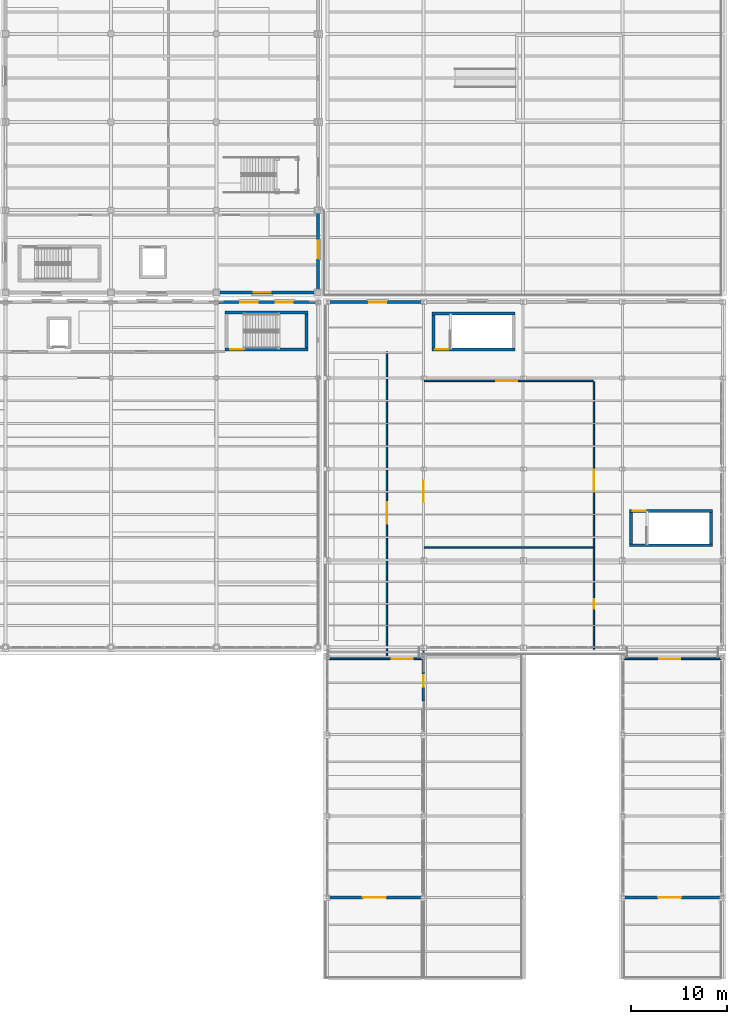
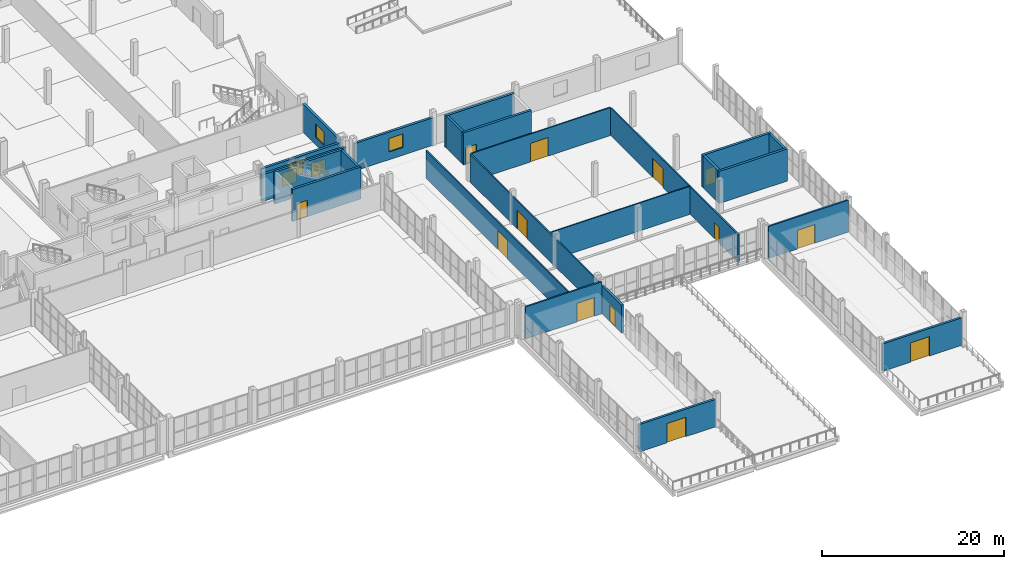
# One storey, part 128 of 156: 24 walls, 13 doors, 5 windows, 18 openings.
"""IFC4 building model written with IfcOpenShell, lengths in metres."""

from ifc_helpers import new_model, si_unit, direction, frame, frame_2d, origin, place, context, subcontext, project, spatial, rectangle, extrude, material, layer, layer_set, type_object, element, fill, save


model = new_model("IFC4")

# Units and contexts
model_context = context("Model", 3, precision=1e-05, world=origin(), true_north=direction((0.0, 1.0)))
body_context = subcontext(model_context, "Body", "Model", "MODEL_VIEW")
ifc_project = project(units=[si_unit("LENGTHUNIT", "METRE"), si_unit("AREAUNIT", "SQUARE_METRE"), si_unit("VOLUMEUNIT", "CUBIC_METRE"), si_unit("PLANEANGLEUNIT", "RADIAN"), si_unit("MASSUNIT", "GRAM", prefix="KILO")], contexts=[model_context])

# Site, building, storey
site_placement = place(None, origin())
site = spatial("IfcSite", under=ifc_project, at=site_placement, CompositionType="ELEMENT")
building_placement = place(site_placement, origin())
building = spatial("IfcBuilding", under=site, at=building_placement, Name="Caurita Quay Ferry Terminal", CompositionType="ELEMENT")
storey_placement = place(building_placement, frame((0.0, 0.0, 5.39990234375)))
storey = spatial("IfcBuildingStorey", under=building, at=storey_placement, Name="L01", CompositionType="ELEMENT", Elevation=5.39990234375)

# Wall, opening, door
ifc_material_1 = material(Name="Reinforced concrete C35/45", Category="concrete")
ifc_layer_1 = layer(ifc_material_1, 0.300048828125, Name="Interior shear wall 300 mm")
ifc_layer_set_1 = layer_set([ifc_layer_1], Name="Reinforced concrete C35/45")
wall_type_1 = type_object("IfcWallType", Name="WL-CORE-300", PredefinedType="SHEAR", material=ifc_layer_set_1)
wall_1_placement = place(storey_placement, frame((122.10009765625, 65.64990234375, 0.0), z_axis=(0.0, 0.0, 1.0), x_axis=(1.0, 0.0, 0.0)))
wall_1 = element("IfcWall", 1, at=wall_1_placement, inside=storey, type_object=wall_type_1, Name="L01 ST-09 Core Wall South", PredefinedType="SHEAR", context=body_context, shape_type="SweptSolid", body=[
    extrude(rectangle(XDim=8.64990234375, YDim=0.300048828125, at=frame_2d((4.324951171875, 0.0))), origin(), (0.0, 0.0, 1.0), 4.280029296875),
])
opening_1_placement = place(wall_1_placement, frame((0.550048828125, 0.0, 0.0)))
opening_1 = element("IfcOpeningElement", 2, at=opening_1_placement, cuts=wall_1, Name="Opening SD-01", PredefinedType="OPENING", context=body_context, shape_type="SweptSolid", body=[
    extrude(rectangle(XDim=1.35009765625, YDim=2.199951171875, at=frame_2d((0.675048828125, 1.10009765625))), frame((0.0, 0.159912109375, 0.0), z_axis=(0.0, -1.0, 0.0), x_axis=(1.0, 0.0, 0.0)), (0.0, 0.0, 1.0), 0.320068359375),
])
ifc_material_2 = material(Name="Anodized aluminium 6063-T6", Category="aluminium")
door_type_1 = type_object("IfcDoorType", Name="DR-ST-1200", OperationType="NOTDEFINED", PredefinedType="DOOR", material=ifc_material_2)
door_1_placement = place(opening_1_placement, origin())
door_1 = element("IfcDoor", 3, at=door_1_placement, inside=storey, type_object=door_type_1, Name="L01 Exit Stair ST-09 Fire Door", OperationType="SINGLE_SWING_RIGHT", OverallHeight=2.199951171875, OverallWidth=1.35009765625, PredefinedType="DOOR", context=body_context, shape_type="SweptSolid", body=[
    extrude(rectangle(XDim=1.35009765625, YDim=2.199951171875, at=frame_2d((0.675048828125, 1.10009765625))), frame((0.0, 0.02490234375, 0.0), z_axis=(0.0, -1.0, 0.0), x_axis=(1.0, 0.0, 0.0)), (0.0, 0.0, 1.0), 0.050048828125),
])
fill(opening_1, door_1)

# Walls
wall_2_placement = place(storey_placement, frame((130.75, 69.510009765625, 0.0), z_axis=(0.0, 0.0, 1.0), x_axis=(-1.0, 0.0, 0.0)))
element("IfcWall", 4, at=wall_2_placement, inside=storey, type_object=wall_type_1, Name="L01 ST-09 Core Wall North", PredefinedType="SHEAR", context=body_context, shape_type="SweptSolid", body=[
    extrude(rectangle(XDim=8.64990234375, YDim=0.300048828125, at=frame_2d((4.324951171875, 0.0))), origin(), (0.0, 0.0, 1.0), 4.280029296875),
])
wall_3_placement = place(storey_placement, frame((130.60009765625, 65.800048828125, 0.0), z_axis=(0.0, 0.0, 1.0), x_axis=(0.0, 1.0, 0.0)))
element("IfcWall", 5, at=wall_3_placement, inside=storey, type_object=wall_type_1, Name="L01 ST-09 Core Wall East", PredefinedType="SHEAR", context=body_context, shape_type="SweptSolid", body=[
    extrude(rectangle(XDim=3.56005859375, YDim=0.300048828125, at=frame_2d((1.780029296875, 0.0))), origin(), (0.0, 0.0, 1.0), 4.280029296875),
])

# Wall, opening, door
wall_4_placement = place(storey_placement, frame((143.699951171875, 65.64990234375, 0.0), z_axis=(0.0, 0.0, 1.0), x_axis=(1.0, 0.0, 0.0)))
wall_4 = element("IfcWall", 6, at=wall_4_placement, inside=storey, type_object=wall_type_1, Name="L01 ST-10 Core Wall South", PredefinedType="SHEAR", context=body_context, shape_type="SweptSolid", body=[
    extrude(rectangle(XDim=8.650146484375, YDim=0.300048828125, at=frame_2d((4.3251953125, 0.0))), origin(), (0.0, 0.0, 1.0), 4.2900390625),
])
opening_2_placement = place(wall_4_placement, frame((0.35009765625, 0.0, 0.0)))
opening_2 = element("IfcOpeningElement", 7, at=opening_2_placement, cuts=wall_4, Name="Opening SD-01", PredefinedType="OPENING", context=body_context, shape_type="SweptSolid", body=[
    extrude(rectangle(XDim=1.35009765625, YDim=2.199951171875, at=frame_2d((0.675048828125, 1.10009765625))), frame((0.0, 0.159912109375, 0.0), z_axis=(0.0, -1.0, 0.0), x_axis=(1.0, 0.0, 0.0)), (0.0, 0.0, 1.0), 0.320068359375),
])
door_2_placement = place(opening_2_placement, origin())
door_2 = element("IfcDoor", 8, at=door_2_placement, inside=storey, type_object=door_type_1, Name="L01 Exit Stair ST-10 Fire Door", OperationType="SINGLE_SWING_LEFT", OverallHeight=2.199951171875, OverallWidth=1.35009765625, PredefinedType="DOOR", context=body_context, shape_type="SweptSolid", body=[
    extrude(rectangle(XDim=1.35009765625, YDim=2.199951171875, at=frame_2d((0.675048828125, 1.10009765625))), frame((0.0, 0.02490234375, 0.0), z_axis=(0.0, -1.0, 0.0), x_axis=(1.0, 0.0, 0.0)), (0.0, 0.0, 1.0), 0.050048828125),
])
fill(opening_2, door_2)

# Walls
wall_5_placement = place(storey_placement, frame((152.35009765625, 69.409912109375, 0.0), z_axis=(0.0, 0.0, 1.0), x_axis=(-1.0, 0.0, 0.0)))
element("IfcWall", 9, at=wall_5_placement, inside=storey, type_object=wall_type_1, Name="L01 ST-10 Core Wall North", PredefinedType="SHEAR", context=body_context, shape_type="SweptSolid", body=[
    extrude(rectangle(XDim=8.650146484375, YDim=0.300048828125, at=frame_2d((4.3251953125, 0.0))), origin(), (0.0, 0.0, 1.0), 4.2900390625),
])
wall_6_placement = place(storey_placement, frame((143.85009765625, 69.260009765625, 0.0), z_axis=(0.0, 0.0, 1.0), x_axis=(0.0, -1.0, 0.0)))
element("IfcWall", 10, at=wall_6_placement, inside=storey, type_object=wall_type_1, Name="L01 ST-10 Core Wall West", PredefinedType="SHEAR", context=body_context, shape_type="SweptSolid", body=[
    extrude(rectangle(XDim=3.4599609375, YDim=0.300048828125, at=frame_2d((1.72998046875, 0.0))), origin(), (0.0, 0.0, 1.0), 4.2900390625),
])
wall_7_placement = place(storey_placement, frame((164.300048828125, 45.25, 0.0), z_axis=(0.0, 0.0, 1.0), x_axis=(1.0, 0.0, 0.0)))
element("IfcWall", 11, at=wall_7_placement, inside=storey, type_object=wall_type_1, Name="L01 ST-11 Core Wall South", PredefinedType="SHEAR", context=body_context, shape_type="SweptSolid", body=[
    extrude(rectangle(XDim=8.64990234375, YDim=0.300048828125, at=frame_2d((4.324951171875, 0.0))), origin(), (0.0, 0.0, 1.0), 4.2900390625),
])

# Wall, opening, door
wall_8_placement = place(storey_placement, frame((172.949951171875, 48.81005859375, 0.0), z_axis=(0.0, 0.0, 1.0), x_axis=(-1.0, 0.0, 0.0)))
wall_8 = element("IfcWall", 12, at=wall_8_placement, inside=storey, type_object=wall_type_1, Name="L01 ST-11 Core Wall North", PredefinedType="SHEAR", context=body_context, shape_type="SweptSolid", body=[
    extrude(rectangle(XDim=8.64990234375, YDim=0.300048828125, at=frame_2d((4.324951171875, 0.0))), origin(), (0.0, 0.0, 1.0), 4.2900390625),
])
opening_3_placement = place(wall_8_placement, frame((6.949951171875, 0.0, 0.0)))
opening_3 = element("IfcOpeningElement", 13, at=opening_3_placement, cuts=wall_8, Name="Opening SD-01", PredefinedType="OPENING", context=body_context, shape_type="SweptSolid", body=[
    extrude(rectangle(XDim=1.35009765625, YDim=2.199951171875, at=frame_2d((0.675048828125, 1.10009765625))), frame((0.0, 0.159912109375, 0.0), z_axis=(0.0, -1.0, 0.0), x_axis=(1.0, 0.0, 0.0)), (0.0, 0.0, 1.0), 0.320068359375),
])
door_3_placement = place(opening_3_placement, origin())
door_3 = element("IfcDoor", 14, at=door_3_placement, inside=storey, type_object=door_type_1, Name="L01 Exit Stair ST-11 Fire Door", OperationType="SINGLE_SWING_LEFT", OverallHeight=2.199951171875, OverallWidth=1.35009765625, PredefinedType="DOOR", context=body_context, shape_type="SweptSolid", body=[
    extrude(rectangle(XDim=1.35009765625, YDim=2.199951171875, at=frame_2d((0.675048828125, 1.10009765625))), frame((0.0, 0.02490234375, 0.0), z_axis=(0.0, -1.0, 0.0), x_axis=(1.0, 0.0, 0.0)), (0.0, 0.0, 1.0), 0.050048828125),
])
fill(opening_3, door_3)

# Walls
for number, where, z_axis, x_axis, name in (
    (15, (164.449951171875, 48.659912109375, 0.0), (0.0, 0.0, 1.0), (0.0, -1.0, 0.0), "L01 ST-11 Core Wall West"),
    (16, (172.800048828125, 45.39990234375, 0.0), (0.0, 0.0, 1.0), (0.0, 1.0, 0.0), "L01 ST-11 Core Wall East"),
):
    element("IfcWall", number, at=place(storey_placement, frame(where, z_axis=z_axis, x_axis=x_axis)), inside=storey, type_object=wall_type_1, Name=name, PredefinedType="SHEAR", context=body_context, shape_type="SweptSolid", body=[
        extrude(rectangle(XDim=3.260009765625, YDim=0.300048828125, at=frame_2d((1.6298828125, 0.0))), origin(), (0.0, 0.0, 1.0), 4.2900390625),
    ])

# Wall, opening, door
ifc_material_3 = material(Name="Warm-white lime stucco masonry", Category="masonry")
ifc_layer_2 = layer(ifc_material_3, 0.199951171875, Name="Interior partitioning wall 200 mm")
ifc_layer_set_2 = layer_set([ifc_layer_2], Name="Warm-white lime stucco masonry")
wall_type_2 = type_object("IfcWallType", Name="WL-CORR-200", PredefinedType="PARTITIONING", material=ifc_layer_set_2)
wall_9_placement = place(storey_placement, frame((132.95751953125, 33.39990234375, 0.0), z_axis=(0.0, 0.0, 1.0), x_axis=(1.0, 0.0, 0.0)))
wall_9 = element("IfcWall", 17, at=wall_9_placement, inside=storey, type_object=wall_type_2, Name="L01 Interior Partition IW-L01-051", PredefinedType="PARTITIONING", context=body_context, shape_type="SweptSolid", body=[
    extrude(rectangle(XDim=9.68505859375, YDim=0.199951171875, at=frame_2d((4.842529296875, 0.0))), origin(), (0.0, 0.0, 1.0), 4.2900390625),
])
opening_4_placement = place(wall_9_placement, frame((6.54248046875, 0.0, 0.0)))
opening_4 = element("IfcOpeningElement", 18, at=opening_4_placement, cuts=wall_9, Name="Opening ID-01", PredefinedType="OPENING", context=body_context, shape_type="SweptSolid", body=[
    extrude(rectangle(XDim=2.199951171875, YDim=2.5, at=frame_2d((1.10009765625, 1.25))), frame((0.0, 0.10986328125, 0.0), z_axis=(0.0, -1.0, 0.0), x_axis=(1.0, 0.0, 0.0)), (0.0, 0.0, 1.0), 0.219970703125),
])
door_type_2 = type_object("IfcDoorType", Name="DR-HALL-2200", OperationType="NOTDEFINED", PredefinedType="DOOR", material=ifc_material_2)
door_4_placement = place(opening_4_placement, origin())
door_4 = element("IfcDoor", 19, at=door_4_placement, inside=storey, type_object=door_type_2, Name="Berth 1 Boarding Gangway Entry Portal", OperationType="SINGLE_SWING_LEFT", OverallHeight=2.5, OverallWidth=2.199951171875, PredefinedType="DOOR", context=body_context, shape_type="SweptSolid", body=[
    extrude(rectangle(XDim=2.199951171875, YDim=2.5, at=frame_2d((1.10009765625, 1.25))), frame((0.0, 0.02490234375, 0.0), z_axis=(0.0, -1.0, 0.0), x_axis=(1.0, 0.0, 0.0)), (0.0, 0.0, 1.0), 0.050048828125),
])
fill(opening_4, door_4)

wall_10_placement = place(storey_placement, frame((163.75732421875, 33.39990234375, 0.0), z_axis=(0.0, 0.0, 1.0), x_axis=(1.0, 0.0, 0.0)))
wall_10 = element("IfcWall", 20, at=wall_10_placement, inside=storey, type_object=wall_type_2, Name="L01 Interior Partition IW-L01-052", PredefinedType="PARTITIONING", context=body_context, shape_type="SweptSolid", body=[
    extrude(rectangle(XDim=10.085205078125, YDim=0.199951171875, at=frame_2d((5.04248046875, 0.0))), origin(), (0.0, 0.0, 1.0), 4.2900390625),
])
opening_5_placement = place(wall_10_placement, frame((3.642578125, 0.0, 0.0)))
opening_5 = element("IfcOpeningElement", 21, at=opening_5_placement, cuts=wall_10, Name="Opening ID-01", PredefinedType="OPENING", context=body_context, shape_type="SweptSolid", body=[
    extrude(rectangle(XDim=2.199951171875, YDim=2.5, at=frame_2d((1.10009765625, 1.25))), frame((0.0, 0.10986328125, 0.0), z_axis=(0.0, -1.0, 0.0), x_axis=(1.0, 0.0, 0.0)), (0.0, 0.0, 1.0), 0.219970703125),
])
door_5_placement = place(opening_5_placement, frame((2.199951171875, 0.0, 0.0), z_axis=(0.0, 0.0, 1.0), x_axis=(-1.0, 0.0, 0.0)))
door_5 = element("IfcDoor", 22, at=door_5_placement, inside=storey, type_object=door_type_2, Name="Berth 2 Boarding Gangway Entry Portal", OperationType="SINGLE_SWING_RIGHT", OverallHeight=2.5, OverallWidth=2.199951171875, PredefinedType="DOOR", context=body_context, shape_type="SweptSolid", body=[
    extrude(rectangle(XDim=2.199951171875, YDim=2.5, at=frame_2d((1.10009765625, 1.25))), frame((0.0, 0.02490234375, 0.0), z_axis=(0.0, -1.0, 0.0), x_axis=(1.0, 0.0, 0.0)), (0.0, 0.0, 1.0), 0.050048828125),
])
fill(opening_5, door_5)

ifc_layer_3 = layer(ifc_material_3, 0.260009765625, Name="Exterior solidwall wall 260 mm")
ifc_layer_set_3 = layer_set([ifc_layer_3], Name="Warm-white lime stucco masonry")
wall_type_3 = type_object("IfcWallType", Name="WL-EXT-260", PredefinedType="SOLIDWALL", material=ifc_layer_set_3)
wall_11_placement = place(storey_placement, frame((142.800048828125, 29.0, 0.0), z_axis=(0.0, 0.0, 1.0), x_axis=(0.0, 1.0, 0.0)))
wall_11 = element("IfcWall", 23, at=wall_11_placement, inside=storey, type_object=wall_type_3, Name="L01 Exterior Wall EW-L01-219", PredefinedType="SOLIDWALL", context=body_context, shape_type="SweptSolid", body=[
    extrude(rectangle(XDim=4.44970703125, YDim=0.260009765625, at=frame_2d((2.224853515625, 0.0))), origin(), (0.0, 0.0, 1.0), 3.74658203125),
])
opening_6_placement = place(wall_11_placement, frame((1.5, 0.0, 0.0)))
opening_6 = element("IfcOpeningElement", 24, at=opening_6_placement, cuts=wall_11, Name="Opening TD-01", PredefinedType="OPENING", context=body_context, shape_type="SweptSolid", body=[
    extrude(rectangle(XDim=1.199951171875, YDim=2.199951171875, at=frame_2d((0.60009765625, 1.10009765625))), frame((0.0, 0.139892578125, 0.0), z_axis=(0.0, -1.0, 0.0), x_axis=(1.0, 0.0, 0.0)), (0.0, 0.0, 1.0), 0.280029296875),
])
door_type_3 = type_object("IfcDoorType", Name="DR-TER-1222", OperationType="NOTDEFINED", PredefinedType="DOOR", material=ifc_material_2)
door_6_placement = place(opening_6_placement, frame((1.199951171875, 0.0, 0.0), z_axis=(0.0, 0.0, 1.0), x_axis=(-1.0, 0.0, 0.0)))
door_6 = element("IfcDoor", 25, at=door_6_placement, inside=storey, type_object=door_type_3, Name="Berth 1 Side Deck Access Door", OperationType="SINGLE_SWING_LEFT", OverallHeight=2.199951171875, OverallWidth=1.199951171875, PredefinedType="DOOR", context=body_context, shape_type="SweptSolid", body=[
    extrude(rectangle(XDim=1.199951171875, YDim=2.199951171875, at=frame_2d((0.60009765625, 1.10009765625))), frame((0.0, 0.02490234375, 0.0), z_axis=(0.0, -1.0, 0.0), x_axis=(1.0, 0.0, 0.0)), (0.0, 0.0, 1.0), 0.050048828125),
])
fill(opening_6, door_6)

ifc_layer_4 = layer(ifc_material_3, 0.280029296875, Name="Exterior solidwall wall 280 mm")
ifc_layer_set_4 = layer_set([ifc_layer_4], Name="Warm-white lime stucco masonry")
wall_type_4 = type_object("IfcWallType", Name="WL-EXT-280", PredefinedType="SOLIDWALL", material=ifc_layer_set_4)
wall_12_placement = place(storey_placement, frame((132.950439453125, 8.5, 0.0), z_axis=(0.0, 0.0, 1.0), x_axis=(1.0, 0.0, 0.0)))
wall_12 = element("IfcWall", 26, at=wall_12_placement, inside=storey, type_object=wall_type_4, Name="L01 Exterior Wall EW-L01-217", PredefinedType="SOLIDWALL", context=body_context, shape_type="SweptSolid", body=[
    extrude(rectangle(XDim=9.69921875, YDim=0.280029296875, at=frame_2d((4.849609375, 0.0))), origin(), (0.0, 0.0, 1.0), 3.68310546875),
])
opening_7_placement = place(wall_12_placement, frame((3.549560546875, 0.0, 0.0)))
opening_7 = element("IfcOpeningElement", 27, at=opening_7_placement, cuts=wall_12, Name="Opening ED-01", PredefinedType="OPENING", context=body_context, shape_type="SweptSolid", body=[
    extrude(rectangle(XDim=2.39990234375, YDim=2.60009765625, at=frame_2d((1.199951171875, 1.300048828125))), frame((0.0, 0.14990234375, 0.0), z_axis=(0.0, -1.0, 0.0), x_axis=(1.0, 0.0, 0.0)), (0.0, 0.0, 1.0), 0.300048828125),
])
door_type_4 = type_object("IfcDoorType", Name="DR-EXT-2426", OperationType="NOTDEFINED", PredefinedType="DOOR", material=ifc_material_2)
door_7_placement = place(opening_7_placement, frame((2.39990234375, 0.0, 0.0), z_axis=(0.0, 0.0, 1.0), x_axis=(-1.0, 0.0, 0.0)))
door_7 = element("IfcDoor", 28, at=door_7_placement, inside=storey, type_object=door_type_4, Name="Berth 1 Vessel Boarding Portal Door", OperationType="SINGLE_SWING_LEFT", OverallHeight=2.60009765625, OverallWidth=2.39990234375, PredefinedType="DOOR", context=body_context, shape_type="SweptSolid", body=[
    extrude(rectangle(XDim=2.39990234375, YDim=2.60009765625, at=frame_2d((1.199951171875, 1.300048828125))), frame((0.0, 0.02490234375, 0.0), z_axis=(0.0, -1.0, 0.0), x_axis=(1.0, 0.0, 0.0)), (0.0, 0.0, 1.0), 0.050048828125),
])
fill(opening_7, door_7)

wall_13_placement = place(storey_placement, frame((163.75048828125, 8.5, 0.0), z_axis=(0.0, 0.0, 1.0), x_axis=(1.0, 0.0, 0.0)))
wall_13 = element("IfcWall", 29, at=wall_13_placement, inside=storey, type_object=wall_type_4, Name="L01 Exterior Wall EW-L01-218", PredefinedType="SOLIDWALL", context=body_context, shape_type="SweptSolid", body=[
    extrude(rectangle(XDim=10.09912109375, YDim=0.280029296875, at=frame_2d((5.049560546875, 0.0))), origin(), (0.0, 0.0, 1.0), 3.68310546875),
])
opening_8_placement = place(wall_13_placement, frame((3.549560546875, 0.0, 0.0)))
opening_8 = element("IfcOpeningElement", 30, at=opening_8_placement, cuts=wall_13, Name="Opening ED-01", PredefinedType="OPENING", context=body_context, shape_type="SweptSolid", body=[
    extrude(rectangle(XDim=2.39990234375, YDim=2.60009765625, at=frame_2d((1.199951171875, 1.300048828125))), frame((0.0, 0.14990234375, 0.0), z_axis=(0.0, -1.0, 0.0), x_axis=(1.0, 0.0, 0.0)), (0.0, 0.0, 1.0), 0.300048828125),
])
door_8_placement = place(opening_8_placement, frame((2.39990234375, 0.0, 0.0), z_axis=(0.0, 0.0, 1.0), x_axis=(-1.0, 0.0, 0.0)))
door_8 = element("IfcDoor", 31, at=door_8_placement, inside=storey, type_object=door_type_4, Name="Berth 2 Vessel Boarding Portal Door", OperationType="SINGLE_SWING_RIGHT", OverallHeight=2.60009765625, OverallWidth=2.39990234375, PredefinedType="DOOR", context=body_context, shape_type="SweptSolid", body=[
    extrude(rectangle(XDim=2.39990234375, YDim=2.60009765625, at=frame_2d((1.199951171875, 1.300048828125))), frame((0.0, 0.02490234375, 0.0), z_axis=(0.0, -1.0, 0.0), x_axis=(1.0, 0.0, 0.0)), (0.0, 0.0, 1.0), 0.050048828125),
])
fill(opening_8, door_8)

# Wall, openings, windows
ifc_layer_5 = layer(ifc_material_3, 0.31005859375, Name="Exterior solidwall wall 310 mm")
ifc_layer_set_5 = layer_set([ifc_layer_5], Name="Warm-white lime stucco masonry")
wall_type_5 = type_object("IfcWallType", Name="WL-EXT-310", PredefinedType="SOLIDWALL", material=ifc_layer_set_5)
wall_14_placement = place(storey_placement, frame((131.79443359375, 70.60009765625, 0.0), z_axis=(0.0, 0.0, 1.0), x_axis=(-1.0, 0.0, 0.0)))
wall_14 = element("IfcWall", 32, at=wall_14_placement, inside=storey, type_object=wall_type_5, Name="L01 Exterior Wall EW-L01-189", PredefinedType="SOLIDWALL", context=body_context, shape_type="SweptSolid", body=[
    extrude(rectangle(XDim=10.5888671875, YDim=0.31005859375, at=frame_2d((5.29443359375, 0.0))), origin(), (0.0, 0.0, 1.0), 3.592041015625),
])
opening_9_placement = place(wall_14_placement, frame((2.594482421875, 0.0, 1.050048828125)))
opening_9 = element("IfcOpeningElement", 33, at=opening_9_placement, cuts=wall_14, Name="Opening W-09", PredefinedType="OPENING", context=body_context, shape_type="SweptSolid", body=[
    extrude(rectangle(XDim=1.800048828125, YDim=1.800048828125, at=frame_2d((0.89990234375, 0.89990234375))), frame((0.0, 0.1650390625, 0.0), z_axis=(0.0, -1.0, 0.0), x_axis=(1.0, 0.0, 0.0)), (0.0, 0.0, 1.0), 0.330078125),
])
opening_10_placement = place(wall_14_placement, frame((6.29443359375, 0.0, 1.050048828125)))
opening_10 = element("IfcOpeningElement", 34, at=opening_10_placement, cuts=wall_14, Name="Opening W-09", PredefinedType="OPENING", context=body_context, shape_type="SweptSolid", body=[
    extrude(rectangle(XDim=1.800048828125, YDim=1.800048828125, at=frame_2d((0.89990234375, 0.89990234375))), frame((0.0, 0.1650390625, 0.0), z_axis=(0.0, -1.0, 0.0), x_axis=(1.0, 0.0, 0.0)), (0.0, 0.0, 1.0), 0.330078125),
])
ifc_material_4 = material(Name="Laminated solar-control insulated glass", Category="glass")
window_type = type_object("IfcWindowType", Name="WIN-SC-1818", PartitioningType="SINGLE_PANEL", PredefinedType="WINDOW", material=ifc_material_4)
window_1_placement = place(opening_9_placement, origin())
window_1 = element("IfcWindow", 35, at=window_1_placement, inside=storey, type_object=window_type, Name="L01 Casement Window WN-L01-287", OverallHeight=1.800048828125, OverallWidth=1.800048828125, PartitioningType="SINGLE_PANEL", PredefinedType="WINDOW", context=body_context, shape_type="SweptSolid", body=[
    extrude(rectangle(XDim=1.800048828125, YDim=1.800048828125, at=frame_2d((0.89990234375, 0.89990234375))), frame((0.0, 0.030029296875, 0.0), z_axis=(0.0, -1.0, 0.0), x_axis=(1.0, 0.0, 0.0)), (0.0, 0.0, 1.0), 0.06005859375),
])
fill(opening_9, window_1)
window_2_placement = place(opening_10_placement, origin())
window_2 = element("IfcWindow", 36, at=window_2_placement, inside=storey, type_object=window_type, Name="L01 Casement Window WN-L01-288", OverallHeight=1.800048828125, OverallWidth=1.800048828125, PartitioningType="SINGLE_PANEL", PredefinedType="WINDOW", context=body_context, shape_type="SweptSolid", body=[
    extrude(rectangle(XDim=1.800048828125, YDim=1.800048828125, at=frame_2d((0.89990234375, 0.89990234375))), frame((0.0, 0.030029296875, 0.0), z_axis=(0.0, -1.0, 0.0), x_axis=(1.0, 0.0, 0.0)), (0.0, 0.0, 1.0), 0.06005859375),
])
fill(opening_10, window_2)

# Wall, opening, window
wall_15_placement = place(storey_placement, frame((142.797119140625, 70.60009765625, 0.0), z_axis=(0.0, 0.0, 1.0), x_axis=(-1.0, 0.0, 0.0)))
wall_15 = element("IfcWall", 37, at=wall_15_placement, inside=storey, type_object=wall_type_5, Name="L01 Exterior Wall EW-L01-207", PredefinedType="SOLIDWALL", context=body_context, shape_type="SweptSolid", body=[
    extrude(rectangle(XDim=9.994140625, YDim=0.31005859375, at=frame_2d((4.9970703125, 0.0))), origin(), (0.0, 0.0, 1.0), 3.68310546875),
])
opening_11_placement = place(wall_15_placement, frame((3.846923828125, 0.0, 1.050048828125)))
opening_11 = element("IfcOpeningElement", 38, at=opening_11_placement, cuts=wall_15, Name="Opening W-09", PredefinedType="OPENING", context=body_context, shape_type="SweptSolid", body=[
    extrude(rectangle(XDim=1.800048828125, YDim=1.800048828125, at=frame_2d((0.89990234375, 0.89990234375))), frame((0.0, 0.1650390625, 0.0), z_axis=(0.0, -1.0, 0.0), x_axis=(1.0, 0.0, 0.0)), (0.0, 0.0, 1.0), 0.330078125),
])
window_3_placement = place(opening_11_placement, origin())
window_3 = element("IfcWindow", 39, at=window_3_placement, inside=storey, type_object=window_type, Name="L01 Casement Window WN-L01-313", OverallHeight=1.800048828125, OverallWidth=1.800048828125, PartitioningType="SINGLE_PANEL", PredefinedType="WINDOW", context=body_context, shape_type="SweptSolid", body=[
    extrude(rectangle(XDim=1.800048828125, YDim=1.800048828125, at=frame_2d((0.89990234375, 0.89990234375))), frame((0.0, 0.030029296875, 0.0), z_axis=(0.0, -1.0, 0.0), x_axis=(1.0, 0.0, 0.0)), (0.0, 0.0, 1.0), 0.06005859375),
])
fill(opening_11, window_3)

wall_16_placement = place(storey_placement, frame((131.800048828125, 71.89794921875, 0.0), z_axis=(0.0, 0.0, 1.0), x_axis=(0.0, 1.0, 0.0)))
wall_16 = element("IfcWall", 40, at=wall_16_placement, inside=storey, type_object=wall_type_5, Name="L01 Exterior Wall EW-L01-242", PredefinedType="SOLIDWALL", context=body_context, shape_type="SweptSolid", body=[
    extrude(rectangle(XDim=8.004150390625, YDim=0.31005859375, at=frame_2d((4.001953125, 0.0))), origin(), (0.0, 0.0, 1.0), 3.7490234375),
])
opening_12_placement = place(wall_16_placement, frame((3.302001953125, 0.0, 1.0)))
opening_12 = element("IfcOpeningElement", 41, at=opening_12_placement, cuts=wall_16, Name="Opening W-09", PredefinedType="OPENING", context=body_context, shape_type="SweptSolid", body=[
    extrude(rectangle(XDim=1.800048828125, YDim=1.800048828125, at=frame_2d((0.89990234375, 0.89990234375))), frame((0.0, 0.1650390625, 0.0), z_axis=(0.0, -1.0, 0.0), x_axis=(1.0, 0.0, 0.0)), (0.0, 0.0, 1.0), 0.330078125),
])
window_4_placement = place(opening_12_placement, origin())
window_4 = element("IfcWindow", 42, at=window_4_placement, inside=storey, type_object=window_type, Name="L01 Casement Window WN-L01-339", OverallHeight=1.800048828125, OverallWidth=1.800048828125, PartitioningType="SINGLE_PANEL", PredefinedType="WINDOW", context=body_context, shape_type="SweptSolid", body=[
    extrude(rectangle(XDim=1.800048828125, YDim=1.800048828125, at=frame_2d((0.89990234375, 0.89990234375))), frame((0.0, 0.030029296875, 0.0), z_axis=(0.0, -1.0, 0.0), x_axis=(1.0, 0.0, 0.0)), (0.0, 0.0, 1.0), 0.06005859375),
])
fill(opening_12, window_4)

wall_17_placement = place(storey_placement, frame((121.498046875, 71.60009765625, 0.0), z_axis=(0.0, 0.0, 1.0), x_axis=(1.0, 0.0, 0.0)))
wall_17 = element("IfcWall", 43, at=wall_17_placement, inside=storey, type_object=wall_type_5, Name="L01 Exterior Wall EW-L01-255", PredefinedType="SOLIDWALL", context=body_context, shape_type="SweptSolid", body=[
    extrude(rectangle(XDim=10.00390625, YDim=0.31005859375, at=frame_2d((5.001953125, 0.0))), origin(), (0.0, 0.0, 1.0), 3.60205078125),
])
opening_13_placement = place(wall_17_placement, frame((3.60205078125, 0.0, 1.050048828125)))
opening_13 = element("IfcOpeningElement", 44, at=opening_13_placement, cuts=wall_17, Name="Opening W-09", PredefinedType="OPENING", context=body_context, shape_type="SweptSolid", body=[
    extrude(rectangle(XDim=1.800048828125, YDim=1.800048828125, at=frame_2d((0.89990234375, 0.89990234375))), frame((0.0, 0.1650390625, 0.0), z_axis=(0.0, -1.0, 0.0), x_axis=(1.0, 0.0, 0.0)), (0.0, 0.0, 1.0), 0.330078125),
])
window_5_placement = place(opening_13_placement, origin())
window_5 = element("IfcWindow", 45, at=window_5_placement, inside=storey, type_object=window_type, Name="L01 Casement Window WN-L01-350", OverallHeight=1.800048828125, OverallWidth=1.800048828125, PartitioningType="SINGLE_PANEL", PredefinedType="WINDOW", context=body_context, shape_type="SweptSolid", body=[
    extrude(rectangle(XDim=1.800048828125, YDim=1.800048828125, at=frame_2d((0.89990234375, 0.89990234375))), frame((0.0, 0.030029296875, 0.0), z_axis=(0.0, -1.0, 0.0), x_axis=(1.0, 0.0, 0.0)), (0.0, 0.0, 1.0), 0.06005859375),
])
fill(opening_13, window_5)

# Wall
ifc_material_5 = material(Name="Gypsum board partition", Category="masonry")
ifc_layer_6 = layer(ifc_material_5, 0.14501953125, Name="Interior partitioning wall 145 mm")
ifc_layer_set_6 = layer_set([ifc_layer_6], Name="Gypsum board partition")
wall_type_6 = type_object("IfcWallType", Name="WL-PART-145", PredefinedType="PARTITIONING", material=ifc_layer_set_6)
wall_18_placement = place(storey_placement, frame((142.885009765625, 45.0, 0.0), z_axis=(0.0, 0.0, 1.0), x_axis=(1.0, 0.0, 0.0)))
element("IfcWall", 46, at=wall_18_placement, inside=storey, type_object=wall_type_6, Name="L01 Interior Partition IW-L01-056", PredefinedType="PARTITIONING", context=body_context, shape_type="SweptSolid", body=[
    extrude(rectangle(XDim=17.6298828125, YDim=0.14501953125, at=frame_2d((8.81494140625, 0.0))), origin(), (0.0, 0.0, 1.0), 3.74658203125),
])

# Wall, opening, door
wall_19_placement = place(storey_placement, frame((142.885009765625, 62.39990234375, 0.0), z_axis=(0.0, 0.0, 1.0), x_axis=(1.0, 0.0, 0.0)))
wall_19 = element("IfcWall", 47, at=wall_19_placement, inside=storey, type_object=wall_type_6, Name="L01 Interior Partition IW-L01-057", PredefinedType="PARTITIONING", context=body_context, shape_type="SweptSolid", body=[
    extrude(rectangle(XDim=17.6298828125, YDim=0.14501953125, at=frame_2d((8.81494140625, 0.0))), origin(), (0.0, 0.0, 1.0), 3.74658203125),
])
opening_14_placement = place(wall_19_placement, frame((7.5048828125, 0.0, 0.0)))
opening_14 = element("IfcOpeningElement", 48, at=opening_14_placement, cuts=wall_19, Name="Opening ID-01", PredefinedType="OPENING", context=body_context, shape_type="SweptSolid", body=[
    extrude(rectangle(XDim=2.199951171875, YDim=2.5, at=frame_2d((1.10009765625, 1.25))), frame((0.0, 0.08251953125, 0.0), z_axis=(0.0, -1.0, 0.0), x_axis=(1.0, 0.0, 0.0)), (0.0, 0.0, 1.0), 0.1650390625),
])
door_9_placement = place(opening_14_placement, origin())
door_9 = element("IfcDoor", 49, at=door_9_placement, inside=storey, type_object=door_type_2, Name="Berth 2 Gate Hold North Portal", OperationType="SINGLE_SWING_LEFT", OverallHeight=2.5, OverallWidth=2.199951171875, PredefinedType="DOOR", context=body_context, shape_type="SweptSolid", body=[
    extrude(rectangle(XDim=2.199951171875, YDim=2.5, at=frame_2d((1.10009765625, 1.25))), frame((0.0, 0.02490234375, 0.0), z_axis=(0.0, -1.0, 0.0), x_axis=(1.0, 0.0, 0.0)), (0.0, 0.0, 1.0), 0.050048828125),
])
fill(opening_14, door_9)

ifc_layer_7 = layer(ifc_material_5, 0.159912109375, Name="Interior partitioning wall 160 mm")
ifc_layer_set_7 = layer_set([ifc_layer_7], Name="Gypsum board partition")
wall_type_7 = type_object("IfcWallType", Name="WL-PART-160", PredefinedType="PARTITIONING", material=ifc_layer_set_7)
wall_20_placement = place(storey_placement, frame((139.0, 33.5048828125, 0.0), z_axis=(0.0, 0.0, 1.0), x_axis=(0.0, 1.0, 0.0)))
wall_20 = element("IfcWall", 50, at=wall_20_placement, inside=storey, type_object=wall_type_7, Name="L01 Interior Partition IW-L01-053", PredefinedType="PARTITIONING", context=body_context, shape_type="SweptSolid", body=[
    extrude(rectangle(XDim=31.93505859375, YDim=0.159912109375, at=frame_2d((15.967529296875, 0.0))), origin(), (0.0, 0.0, 1.0), 3.68310546875),
])
opening_15_placement = place(wall_20_placement, frame((14.0048828125, 0.0, 0.0)))
opening_15 = element("IfcOpeningElement", 51, at=opening_15_placement, cuts=wall_20, Name="Opening ID-01", PredefinedType="OPENING", context=body_context, shape_type="SweptSolid", body=[
    extrude(rectangle(XDim=2.199951171875, YDim=2.5, at=frame_2d((1.10009765625, 1.25))), frame((0.0, 0.08984375, 0.0), z_axis=(0.0, -1.0, 0.0), x_axis=(1.0, 0.0, 0.0)), (0.0, 0.0, 1.0), 0.179931640625),
])
door_10_placement = place(opening_15_placement, origin())
door_10 = element("IfcDoor", 52, at=door_10_placement, inside=storey, type_object=door_type_2, Name="Berth 1 Gate Hold Corridor Portal", OperationType="SINGLE_SWING_LEFT", OverallHeight=2.5, OverallWidth=2.199951171875, PredefinedType="DOOR", context=body_context, shape_type="SweptSolid", body=[
    extrude(rectangle(XDim=2.199951171875, YDim=2.5, at=frame_2d((1.10009765625, 1.25))), frame((0.0, 0.02490234375, 0.0), z_axis=(0.0, -1.0, 0.0), x_axis=(1.0, 0.0, 0.0)), (0.0, 0.0, 1.0), 0.050048828125),
])
fill(opening_15, door_10)

wall_21_placement = place(storey_placement, frame((142.800048828125, 33.75732421875, 0.0), z_axis=(0.0, 0.0, 1.0), x_axis=(0.0, 1.0, 0.0)))
wall_21 = element("IfcWall", 53, at=wall_21_placement, inside=storey, type_object=wall_type_7, Name="L01 Interior Partition IW-L01-054", PredefinedType="PARTITIONING", context=body_context, shape_type="SweptSolid", body=[
    extrude(rectangle(XDim=28.565185546875, YDim=0.159912109375, at=frame_2d((14.28271484375, 0.0))), origin(), (0.0, 0.0, 1.0), 3.74658203125),
])
opening_16_placement = place(wall_21_placement, frame((16.04248046875, 0.0, 0.0)))
opening_16 = element("IfcOpeningElement", 54, at=opening_16_placement, cuts=wall_21, Name="Opening ID-01", PredefinedType="OPENING", context=body_context, shape_type="SweptSolid", body=[
    extrude(rectangle(XDim=2.199951171875, YDim=2.5, at=frame_2d((1.10009765625, 1.25))), frame((0.0, 0.08984375, 0.0), z_axis=(0.0, -1.0, 0.0), x_axis=(1.0, 0.0, 0.0)), (0.0, 0.0, 1.0), 0.179931640625),
])
door_11_placement = place(opening_16_placement, frame((2.199951171875, 0.0, 0.0), z_axis=(0.0, 0.0, 1.0), x_axis=(-1.0, 0.0, 0.0)))
door_11 = element("IfcDoor", 55, at=door_11_placement, inside=storey, type_object=door_type_2, Name="Gate Hold 1 to Gate Hold 2 Portal", OperationType="SINGLE_SWING_RIGHT", OverallHeight=2.5, OverallWidth=2.199951171875, PredefinedType="DOOR", context=body_context, shape_type="SweptSolid", body=[
    extrude(rectangle(XDim=2.199951171875, YDim=2.5, at=frame_2d((1.10009765625, 1.25))), frame((0.0, 0.02490234375, 0.0), z_axis=(0.0, -1.0, 0.0), x_axis=(1.0, 0.0, 0.0)), (0.0, 0.0, 1.0), 0.050048828125),
])
fill(opening_16, door_11)

# Wall, openings, doors
wall_22_placement = place(storey_placement, frame((160.60009765625, 34.39990234375, 0.0), z_axis=(0.0, 0.0, 1.0), x_axis=(0.0, 1.0, 0.0)))
wall_22 = element("IfcWall", 56, at=wall_22_placement, inside=storey, type_object=wall_type_7, Name="L01 Interior Partition IW-L01-055", PredefinedType="PARTITIONING", context=body_context, shape_type="SweptSolid", body=[
    extrude(rectangle(XDim=27.922607421875, YDim=0.159912109375, at=frame_2d((13.96142578125, 0.0))), origin(), (0.0, 0.0, 1.0), 3.68310546875),
])
opening_17_placement = place(wall_22_placement, frame((4.199951171875, 0.0, 0.0)))
opening_17 = element("IfcOpeningElement", 57, at=opening_17_placement, cuts=wall_22, Name="Opening ID-05", PredefinedType="OPENING", context=body_context, shape_type="SweptSolid", body=[
    extrude(rectangle(XDim=1.0, YDim=2.14990234375, at=frame_2d((0.5, 1.074951171875))), frame((0.0, 0.08984375, 0.0), z_axis=(0.0, -1.0, 0.0), x_axis=(1.0, 0.0, 0.0)), (0.0, 0.0, 1.0), 0.179931640625),
])
opening_18_placement = place(wall_22_placement, frame((16.5, 0.0, 0.0)))
opening_18 = element("IfcOpeningElement", 58, at=opening_18_placement, cuts=wall_22, Name="Opening ID-01", PredefinedType="OPENING", context=body_context, shape_type="SweptSolid", body=[
    extrude(rectangle(XDim=2.199951171875, YDim=2.5, at=frame_2d((1.10009765625, 1.25))), frame((0.0, 0.08984375, 0.0), z_axis=(0.0, -1.0, 0.0), x_axis=(1.0, 0.0, 0.0)), (0.0, 0.0, 1.0), 0.179931640625),
])
door_12_placement = place(opening_18_placement, frame((2.199951171875, 0.0, 0.0), z_axis=(0.0, 0.0, 1.0), x_axis=(-1.0, 0.0, 0.0)))
door_12 = element("IfcDoor", 59, at=door_12_placement, inside=storey, type_object=door_type_2, Name="Berth 2 Gate Hold Corridor Portal", OperationType="SINGLE_SWING_RIGHT", OverallHeight=2.5, OverallWidth=2.199951171875, PredefinedType="DOOR", context=body_context, shape_type="SweptSolid", body=[
    extrude(rectangle(XDim=2.199951171875, YDim=2.5, at=frame_2d((1.10009765625, 1.25))), frame((0.0, 0.02490234375, 0.0), z_axis=(0.0, -1.0, 0.0), x_axis=(1.0, 0.0, 0.0)), (0.0, 0.0, 1.0), 0.050048828125),
])
fill(opening_18, door_12)
ifc_material_6 = material(Name="Tropical mahogany hardwood", Category="wood")
door_type_5 = type_object("IfcDoorType", Name="DR-OFF-1000", OperationType="NOTDEFINED", PredefinedType="DOOR", material=ifc_material_6)
door_13_placement = place(opening_17_placement, origin())
door_13 = element("IfcDoor", 60, at=door_13_placement, inside=storey, type_object=door_type_5, Name="Gate Dispatch Control Office Door", OperationType="SINGLE_SWING_LEFT", OverallHeight=2.14990234375, OverallWidth=1.0, PredefinedType="DOOR", context=body_context, shape_type="SweptSolid", body=[
    extrude(rectangle(XDim=1.0, YDim=2.14990234375, at=frame_2d((0.5, 1.074951171875))), frame((0.0, 0.02490234375, 0.0), z_axis=(0.0, -1.0, 0.0), x_axis=(1.0, 0.0, 0.0)), (0.0, 0.0, 1.0), 0.050048828125),
])
fill(opening_17, door_13)

save(model, "model.ifc")
